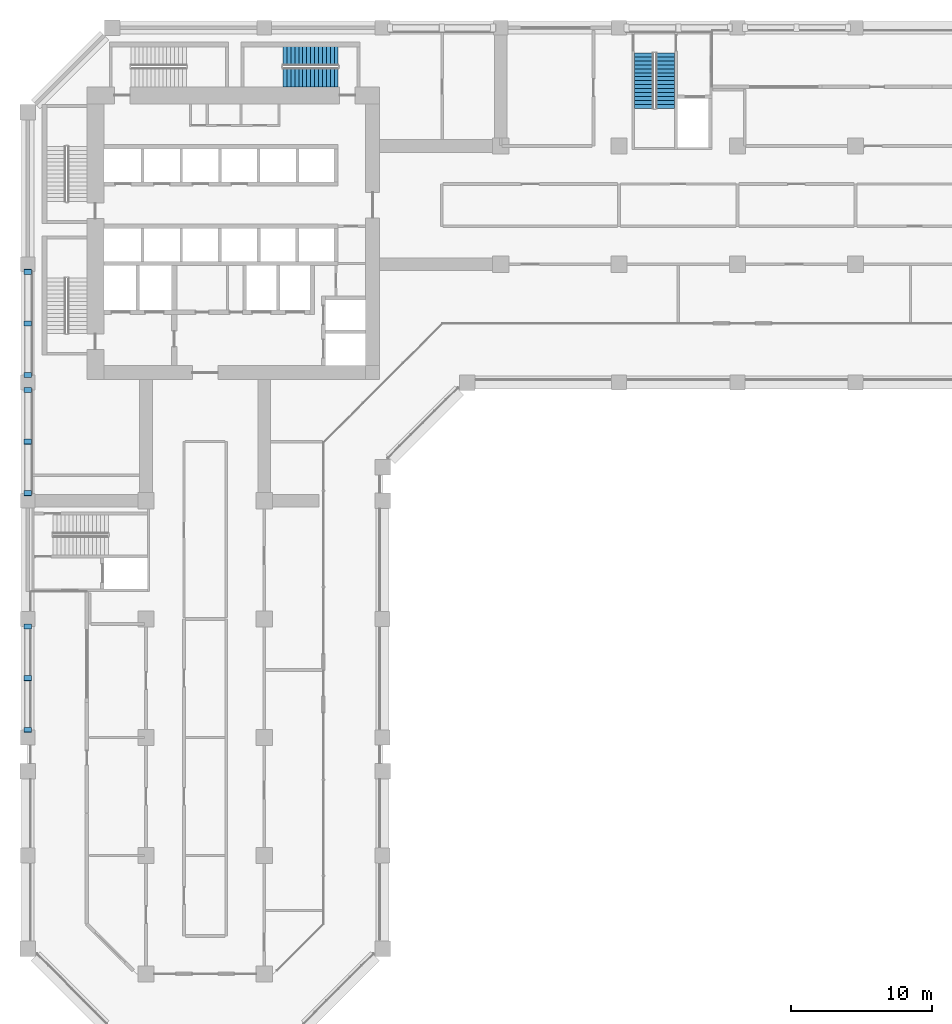
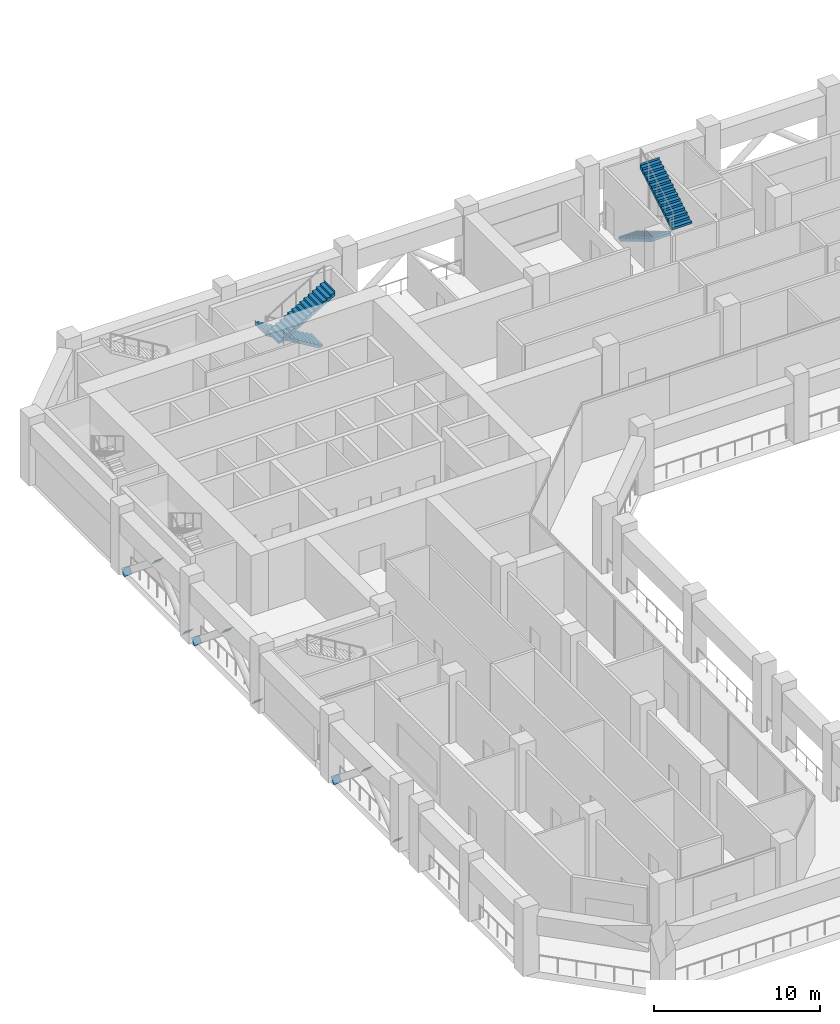
# One storey, part 11 of 19: 9 discrete accessories, 4 stair flights, 2 elements without a shape of their own.
"""IFC4 building model written with IfcOpenShell, lengths in metres."""

from ifc_helpers import new_model, si_unit, direction, frame, origin, origin_2d, place, context, subcontext, project, spatial, polyline, rectangle, outline, extrude, material, material_profile, profile_set, type_object, element, aggregate, save


model = new_model("IFC4")

# Units and contexts
model_context = context("Model", 3, precision=1e-05, world=origin(), true_north=direction((0.0, 1.0)))
body_context = subcontext(model_context, "Body", "Model", "MODEL_VIEW")
ifc_project = project(units=[si_unit("LENGTHUNIT", "METRE"), si_unit("AREAUNIT", "SQUARE_METRE"), si_unit("VOLUMEUNIT", "CUBIC_METRE"), si_unit("PLANEANGLEUNIT", "RADIAN"), si_unit("MASSUNIT", "GRAM", prefix="KILO")], contexts=[model_context])

# Site, building, storey
site_placement = place(None, origin())
site = spatial("IfcSite", under=ifc_project, at=site_placement, CompositionType="ELEMENT")
building_placement = place(site_placement, origin())
building = spatial("IfcBuilding", under=site, at=building_placement, Name="Kawkab Arch Medical Tower", CompositionType="ELEMENT")
storey_placement = place(building_placement, frame((0.0, 0.0, 93.800048828125)))
storey = spatial("IfcBuildingStorey", under=building, at=storey_placement, Name="L21", CompositionType="ELEMENT", Elevation=93.800048828125)

# Stair, stair flights
ifc_material_1 = material(Name="Concrete C40/50", Category="concrete")
stair_type = type_object("IfcStairType", Name="Exit stair 1350", PredefinedType="HALF_TURN_STAIR", material=ifc_material_1)
placement = place(storey_placement, origin())
stair_1 = element("IfcStair", 1, at=placement, inside=storey, type_object=stair_type, Name="L21 Exit stair ST4", PredefinedType="HALF_TURN_STAIR")
ifc_material_2 = material(Name="Concrete C40/50", Category="concrete")
stair_flight_type = type_object("IfcStairFlightType", Name="Exit stair flight 1350", PredefinedType="STRAIGHT", material=ifc_material_2)
stair_flight_1_placement = place(storey_placement, frame((22.050048828125, -2.02490234375, 0.0), z_axis=(0.0, 0.0, 1.0), x_axis=(-1.0, 0.0, 0.0)))
stair_flight_1 = element("IfcStairFlight", 2, at=stair_flight_1_placement, type_object=stair_flight_type, Name="ST4 flight 1", NumberOfRisers=15, NumberOfTreads=14, PredefinedType="STRAIGHT", RiserHeight=0.166666667, TreadLength=0.28, context=body_context, shape_type="SweptSolid", body=[
    extrude(outline(polyline([(-0.0029296875, 0.0), (-0.0029296875, 0.166748046875), (0.0, 0.166748046875), (0.280029296875, 0.166748046875), (0.280029296875, 0.333251953125), (0.56005859375, 0.333251953125), (0.56005859375, 0.5), (0.840087890625, 0.5), (0.840087890625, 0.666748046875), (1.1201171875, 0.666748046875), (1.1201171875, 0.833251953125), (1.39990234375, 0.833251953125), (1.39990234375, 1.0), (1.679931640625, 1.0), (1.679931640625, 1.166748046875), (1.9599609375, 1.166748046875), (1.9599609375, 1.333251953125), (2.239990234375, 1.333251953125), (2.239990234375, 1.5), (2.52001953125, 1.5), (2.52001953125, 1.666748046875), (2.800048828125, 1.666748046875), (2.800048828125, 1.833251953125), (3.080078125, 1.833251953125), (3.080078125, 2.0), (3.360107421875, 2.0), (3.360107421875, 2.166748046875), (3.639892578125, 2.166748046875), (3.639892578125, 2.333251953125), (3.919921875, 2.333251953125), (3.919921875, 2.5), (3.923095703125, 2.5), (3.923095703125, 2.158935546875), (3.919921875, 2.158935546875), (0.29296875, 0.0), (-0.0029296875, 0.0)])), frame((0.0, 0.675048828125, 0.0), z_axis=(0.0, -1.0, 0.0), x_axis=(1.0, 0.0, 0.0)), (0.0, 0.0, 1.0), 1.35009765625),
])
stair_flight_2_placement = place(storey_placement, frame((18.1298828125, -3.52490234375, 2.5), z_axis=(0.0, 0.0, 1.0), x_axis=(1.0, 0.0, 0.0)))
stair_flight_2 = element("IfcStairFlight", 3, at=stair_flight_2_placement, type_object=stair_flight_type, Name="ST4 flight 2", NumberOfRisers=15, NumberOfTreads=14, PredefinedType="STRAIGHT", RiserHeight=0.166666667, TreadLength=0.28, context=body_context, shape_type="SweptSolid", body=[
    extrude(outline(polyline([(-0.0029296875, 0.0), (-0.0029296875, 0.166748046875), (0.0, 0.166748046875), (0.280029296875, 0.166748046875), (0.280029296875, 0.333251953125), (0.56005859375, 0.333251953125), (0.56005859375, 0.5), (0.840087890625, 0.5), (0.840087890625, 0.666748046875), (1.1201171875, 0.666748046875), (1.1201171875, 0.833251953125), (1.39990234375, 0.833251953125), (1.39990234375, 1.0), (1.679931640625, 1.0), (1.679931640625, 1.166748046875), (1.9599609375, 1.166748046875), (1.9599609375, 1.333251953125), (2.239990234375, 1.333251953125), (2.239990234375, 1.5), (2.52001953125, 1.5), (2.52001953125, 1.666748046875), (2.800048828125, 1.666748046875), (2.800048828125, 1.833251953125), (3.080078125, 1.833251953125), (3.080078125, 2.0), (3.360107421875, 2.0), (3.360107421875, 2.166748046875), (3.639892578125, 2.166748046875), (3.639892578125, 2.333251953125), (3.919921875, 2.333251953125), (3.919921875, 2.5), (3.923095703125, 2.5), (3.923095703125, 2.158935546875), (3.919921875, 2.158935546875), (0.29296875, 0.0), (-0.0029296875, 0.0)])), frame((0.0, 0.675048828125, 0.0), z_axis=(0.0, -1.0, 0.0), x_axis=(1.0, 0.0, 0.0)), (0.0, 0.0, 1.0), 1.35009765625),
])
aggregate(stair_1, [stair_flight_1, stair_flight_2])

stair_2 = element("IfcStair", 4, at=placement, inside=storey, type_object=stair_type, Name="L21 Exit stair ST5", PredefinedType="HALF_TURN_STAIR")
stair_flight_3_placement = place(storey_placement, frame((43.77490234375, -1.800048828125, 0.0), z_axis=(0.0, 0.0, 1.0), x_axis=(0.0, -1.0, 0.0)))
stair_flight_3 = element("IfcStairFlight", 5, at=stair_flight_3_placement, type_object=stair_flight_type, Name="ST5 flight 1", NumberOfRisers=15, NumberOfTreads=14, PredefinedType="STRAIGHT", RiserHeight=0.166666667, TreadLength=0.28, context=body_context, shape_type="SweptSolid", body=[
    extrude(outline(polyline([(-0.0029296875, 0.0), (-0.0029296875, 0.166748046875), (0.0, 0.166748046875), (0.280029296875, 0.166748046875), (0.280029296875, 0.333251953125), (0.56005859375, 0.333251953125), (0.56005859375, 0.5), (0.840087890625, 0.5), (0.840087890625, 0.666748046875), (1.1201171875, 0.666748046875), (1.1201171875, 0.833251953125), (1.39990234375, 0.833251953125), (1.39990234375, 1.0), (1.679931640625, 1.0), (1.679931640625, 1.166748046875), (1.9599609375, 1.166748046875), (1.9599609375, 1.333251953125), (2.239990234375, 1.333251953125), (2.239990234375, 1.5), (2.52001953125, 1.5), (2.52001953125, 1.666748046875), (2.800048828125, 1.666748046875), (2.800048828125, 1.833251953125), (3.080078125, 1.833251953125), (3.080078125, 2.0), (3.360107421875, 2.0), (3.360107421875, 2.166748046875), (3.639892578125, 2.166748046875), (3.639892578125, 2.333251953125), (3.919921875, 2.333251953125), (3.919921875, 2.5), (3.923095703125, 2.5), (3.923095703125, 2.158935546875), (3.919921875, 2.158935546875), (0.29296875, 0.0), (-0.0029296875, 0.0)])), frame((0.0, 0.675048828125, 0.0), z_axis=(0.0, -1.0, 0.0), x_axis=(1.0, 0.0, 0.0)), (0.0, 0.0, 1.0), 1.35009765625),
])
stair_flight_4_placement = place(storey_placement, frame((45.27490234375, -5.719970703125, 2.5), z_axis=(0.0, 0.0, 1.0), x_axis=(0.0, 1.0, 0.0)))
stair_flight_4 = element("IfcStairFlight", 6, at=stair_flight_4_placement, type_object=stair_flight_type, Name="ST5 flight 2", NumberOfRisers=15, NumberOfTreads=14, PredefinedType="STRAIGHT", RiserHeight=0.166666667, TreadLength=0.28, context=body_context, shape_type="SweptSolid", body=[
    extrude(outline(polyline([(-0.0029296875, 0.0), (-0.0029296875, 0.166748046875), (0.0, 0.166748046875), (0.280029296875, 0.166748046875), (0.280029296875, 0.333251953125), (0.56005859375, 0.333251953125), (0.56005859375, 0.5), (0.840087890625, 0.5), (0.840087890625, 0.666748046875), (1.1201171875, 0.666748046875), (1.1201171875, 0.833251953125), (1.39990234375, 0.833251953125), (1.39990234375, 1.0), (1.679931640625, 1.0), (1.679931640625, 1.166748046875), (1.9599609375, 1.166748046875), (1.9599609375, 1.333251953125), (2.239990234375, 1.333251953125), (2.239990234375, 1.5), (2.52001953125, 1.5), (2.52001953125, 1.666748046875), (2.800048828125, 1.666748046875), (2.800048828125, 1.833251953125), (3.080078125, 1.833251953125), (3.080078125, 2.0), (3.360107421875, 2.0), (3.360107421875, 2.166748046875), (3.639892578125, 2.166748046875), (3.639892578125, 2.333251953125), (3.919921875, 2.333251953125), (3.919921875, 2.5), (3.923095703125, 2.5), (3.923095703125, 2.158935546875), (3.919921875, 2.158935546875), (0.29296875, 0.0), (-0.0029296875, 0.0)])), frame((0.0, 0.675048828125, 0.0), z_axis=(0.0, -1.0, 0.0), x_axis=(1.0, 0.0, 0.0)), (0.0, 0.0, 1.0), 1.35009765625),
])
aggregate(stair_2, [stair_flight_3, stair_flight_4])

# Discrete accessories
ifc_material_3 = material(Name="Steel S355", Category="steel")
ifc_material_profile = material_profile(ifc_material_3, rectangle(XDim=0.556884765625, YDim=0.556884765625, at=origin_2d()), Name="End plate 557 x 20")
ifc_profile_set = profile_set([ifc_material_profile], Name="Steel S355")
discrete_accessory_type = type_object("IfcDiscreteAccessoryType", Name="End plate 557 x 20", PredefinedType="ANCHORPLATE", material=ifc_profile_set)
for number, where, z_axis, x_axis, name in (
    (7, (0.0, -46.207763671875, 3.0849609375), (0.0, 0.776114000116, 0.630592625094), (-1.0, 0.0, 0.0), "End plate BT2"),
    (8, (0.0, -29.40771484375, 3.0849609375), (0.0, 0.776114000116, 0.630592625094), (-1.0, 0.0, 0.0), "End plate BT2"),
    (9, (0.0, -21.0078125, 3.0849609375), (0.0, 0.776114000116, 0.630592625094), (-1.0, 0.0, 0.0), "End plate BT2"),
    (10, (0.0, -49.859619140625, 0.1259765625), (0.0, -0.771223025002, -0.63656503651), (1.0, 0.0, 0.0), "End plate BT2"),
    (11, (0.0, -42.54052734375, 0.1259765625), (0.0, 0.776114000116, -0.630592625094), (-1.0, 0.0, 0.0), "End plate BT2"),
    (12, (0.0, -33.0595703125, 0.1259765625), (0.0, -0.771223025002, -0.63656503651), (1.0, 0.0, 0.0), "End plate BT2"),
    (13, (0.0, -25.740478515625, 0.1259765625), (0.0, 0.771223025002, -0.63656503651), (-1.0, 0.0, 0.0), "End plate BT2"),
    (14, (0.0, -24.659423828125, 0.1259765625), (0.0, -0.776114000116, -0.630592625094), (1.0, 0.0, 0.0), "End plate BT2"),
    (15, (0.0, -17.340576171875, 0.1259765625), (0.0, 0.776114000116, -0.630592625094), (-1.0, 0.0, 0.0), "End plate BT2"),
):
    element("IfcDiscreteAccessory", number, at=place(storey_placement, frame(where, z_axis=z_axis, x_axis=x_axis)), inside=storey, type_object=discrete_accessory_type, Name=name, PredefinedType="ANCHORPLATE", context=body_context, shape_type="SweptSolid", body=[
        extrude(rectangle(XDim=0.556884765625, YDim=0.556884765625, at=origin_2d()), origin(), (0.0, 0.0, 1.0), 0.02001953125),
    ])

save(model, "model.ifc")
